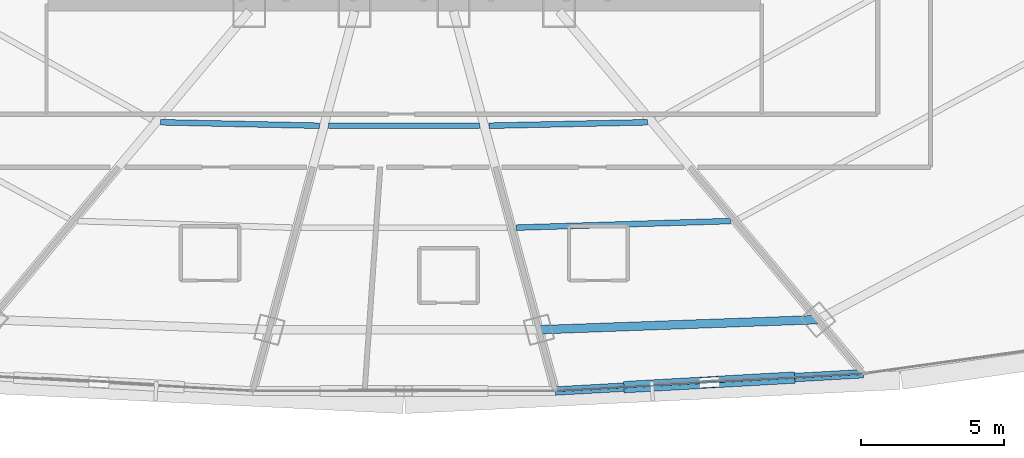
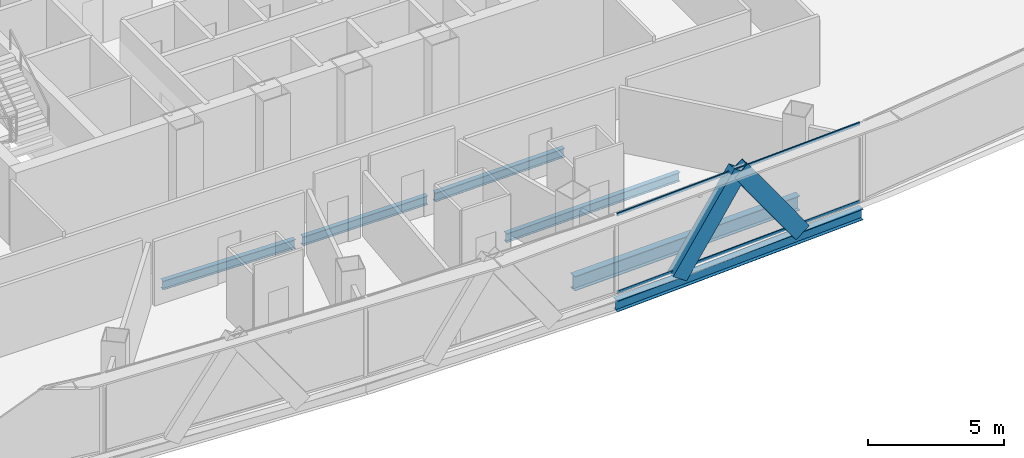
# One storey, part 13 of 40: 6 beams, 4 members, 1 element without a shape of its own.
"""IFC4 building model written with IfcOpenShell, lengths in metres."""

import ifcopenshell
import ifcopenshell.guid

model = None  # the IFC model being written
_history = None  # IfcOwnerHistory: only IFC2X3 demands one
_inside = {}  # id of a spatial element -> (the spatial element, [elements in it])
_under = {}  # id of a project, library or spatial element -> (it, [spatial elements below it])
_declared = {}  # id of a project -> (the project, [libraries it declares])
_typed = {}  # id of a type object -> (the type object, [elements of that type])
_made_of = {}  # id of a material, layer set ... -> (it, [elements and type objects made of it])


def new_model(schema):
    """Start an empty IFC model of exactly this schema.

    Asked for "IFC4X3", IfcOpenShell would pick the latest addendum, in which some entities
    have other attributes; the version numbers below select the first issue.
    IFC2X3 requires an IfcOwnerHistory on every rooted entity: one is made here for all.
    """
    global model, _history
    if schema == "IFC4X3":
        model = ifcopenshell.file(schema_version=(4, 3, 0, 0))
    else:
        model = ifcopenshell.file(schema=schema)
    _inside.clear()
    _under.clear()
    _declared.clear()
    _typed.clear()
    _made_of.clear()
    _history = None
    if model.schema == "IFC2X3":
        org = make("IfcOrganization", Name="unknown")
        user = make(
            "IfcPersonAndOrganization",
            ThePerson=make("IfcPerson", FamilyName="unknown"),
            TheOrganization=org,
        )
        app = make(
            "IfcApplication",
            ApplicationDeveloper=org,
            Version="unknown",
            ApplicationFullName="unknown",
            ApplicationIdentifier="unknown",
        )
        _history = make(
            "IfcOwnerHistory",
            OwningUser=user,
            OwningApplication=app,
            ChangeAction="ADDED",
            CreationDate=0,
        )
    return model


def make(cls, **values):
    """One entity of the class cls with the attributes given. An attribute that is None is left unset."""
    return model.create_entity(
        cls, **{name: value for name, value in values.items() if value is not None}
    )


def rooted(cls, **values):
    """An entity with a GlobalId (a new one), such as an element, a storey or a relation."""
    return make(cls, GlobalId=ifcopenshell.guid.new(), OwnerHistory=_history, **values)


def si_unit(unit_type, name, prefix=None):
    """IfcSIUnit, for example si_unit("LENGTHUNIT", "METRE", prefix="MILLI")."""
    return make("IfcSIUnit", UnitType=unit_type, Prefix=prefix, Name=name)


def assignment(units):
    """IfcUnitAssignment: the units of a project."""
    return None if units is None else make("IfcUnitAssignment", Units=units)


def point(xyz):
    """IfcCartesianPoint."""
    return None if xyz is None else make("IfcCartesianPoint", Coordinates=xyz)


def direction(xyz):
    """IfcDirection."""
    return None if xyz is None else make("IfcDirection", DirectionRatios=xyz)


def frame(location, z_axis=None, x_axis=None):
    """IfcAxis2Placement3D, a coordinate frame: its origin and axes. An axis left out is left unset."""
    return make(
        "IfcAxis2Placement3D",
        Location=point(location),
        Axis=direction(z_axis),
        RefDirection=direction(x_axis),
    )


def frame_2d(location, x_axis=None):
    """IfcAxis2Placement2D, a coordinate frame in the plane: its origin and x axis."""
    return make(
        "IfcAxis2Placement2D", Location=point(location), RefDirection=direction(x_axis)
    )


def origin():
    """The frame at (0, 0, 0) with its axes left unset."""
    return frame((0.0, 0.0, 0.0))


def origin_2d():
    """The frame at (0, 0) in the plane with its x axis left unset."""
    return frame_2d((0.0, 0.0))


def place(relative_to, where):
    """IfcLocalPlacement: puts the frame where relative to a parent placement (None: the world)."""
    return make(
        "IfcLocalPlacement", PlacementRelTo=relative_to, RelativePlacement=where
    )


def context(
    kind, dimensions, precision=None, world=None, true_north=None, identifier=None
):
    """IfcGeometricRepresentationContext, for example the 3D "Model" context."""
    return make(
        "IfcGeometricRepresentationContext",
        ContextIdentifier=identifier,
        ContextType=kind,
        CoordinateSpaceDimension=dimensions,
        Precision=precision,
        WorldCoordinateSystem=world,
        TrueNorth=true_north,
    )


def subcontext(parent, identifier, kind, view, scale=None):
    """IfcGeometricRepresentationSubContext, for example "Body" below "Model"."""
    return make(
        "IfcGeometricRepresentationSubContext",
        ContextIdentifier=identifier,
        ContextType=kind,
        ParentContext=parent,
        TargetScale=scale,
        TargetView=view,
    )


def project(units=None, contexts=None):
    """IfcProject with its units and contexts."""
    return rooted(
        "IfcProject",
        Name="project",
        RepresentationContexts=contexts,
        UnitsInContext=assignment(units),
    )


def spatial(cls, under=None, at=None, **own):
    """A site, building, storey or space (cls), placed at a placement, below another one or the project."""
    s = rooted(cls, ObjectPlacement=at, **own)
    if under is not None:
        _under.setdefault(under.id(), (under, []))[1].append(s)
    return s


def profile(cls, at=None, kind="AREA", **sizes):
    """A parametric profile (cls). Its sizes go by their IFC names, for example OverallWidth=200.0."""
    return make(cls, ProfileType=kind, Position=at, **sizes)


def hollow_rectangle(**sizes):
    """IfcRectangleHollowProfileDef."""
    return profile("IfcRectangleHollowProfileDef", **sizes)


def i_section(**sizes):
    """IfcIShapeProfileDef."""
    return profile("IfcIShapeProfileDef", **sizes)


def extrude(swept, where, along, depth):
    """IfcExtrudedAreaSolid: the profile swept, set in the frame where, extruded along a direction by depth."""
    return make(
        "IfcExtrudedAreaSolid",
        SweptArea=swept,
        Position=where,
        ExtrudedDirection=direction(along),
        Depth=depth,
    )


def shape(context_of_items, identifier, shape_type, items):
    """IfcShapeRepresentation: the items that make up one representation, for example the "Body"."""
    return make(
        "IfcShapeRepresentation",
        ContextOfItems=context_of_items,
        RepresentationIdentifier=identifier,
        RepresentationType=shape_type,
        Items=items,
    )


def source(mapping_origin, context_of_items, identifier, shape_type, items):
    """IfcRepresentationMap: a shape defined once, which mapped items show again and again."""
    return make(
        "IfcRepresentationMap",
        MappingOrigin=mapping_origin,
        MappedRepresentation=shape(context_of_items, identifier, shape_type, items),
    )


def transform(
    local_origin,
    x_axis=None,
    y_axis=None,
    z_axis=None,
    scale=None,
    scale2=None,
    scale3=None,
    uniform=True,
):
    """IfcCartesianTransformationOperator3D, or its non-uniform kind. x_axis, y_axis, z_axis: its Axis1, 2, 3."""
    if uniform:
        return make(
            "IfcCartesianTransformationOperator3D",
            Axis1=direction(x_axis),
            Axis2=direction(y_axis),
            LocalOrigin=point(local_origin),
            Scale=scale,
            Axis3=direction(z_axis),
        )
    return make(
        "IfcCartesianTransformationOperator3DnonUniform",
        Axis1=direction(x_axis),
        Axis2=direction(y_axis),
        LocalOrigin=point(local_origin),
        Scale=scale,
        Axis3=direction(z_axis),
        Scale2=scale2,
        Scale3=scale3,
    )


def mapped(mapping_source, mapping_target):
    """IfcMappedItem: shows the shape of a source again, moved by a transform."""
    return make(
        "IfcMappedItem", MappingSource=mapping_source, MappingTarget=mapping_target
    )


def material(Name=None, Category=None):
    """IfcMaterial."""
    return make("IfcMaterial", Name=Name, Category=Category)


def layer(
    of_material, thickness, ventilated=None, Name=None, Category=None, Priority=None
):
    """IfcMaterialLayer: one layer of a wall or slab, of a material (None: an air gap)."""
    return make(
        "IfcMaterialLayer",
        Material=of_material,
        LayerThickness=thickness,
        IsVentilated=ventilated,
        Name=Name,
        Category=Category,
        Priority=Priority,
    )


def layer_set(layers, Name=None):
    """IfcMaterialLayerSet."""
    return make("IfcMaterialLayerSet", MaterialLayers=layers, LayerSetName=Name)


def material_profile(
    of_material, cross_section, Name=None, Category=None, Priority=None
):
    """IfcMaterialProfile: a cross section and its material."""
    return make(
        "IfcMaterialProfile",
        Name=Name,
        Material=of_material,
        Profile=cross_section,
        Priority=Priority,
        Category=Category,
    )


def profile_set(profiles, Name=None, composite=None):
    """IfcMaterialProfileSet."""
    return make(
        "IfcMaterialProfileSet",
        Name=Name,
        MaterialProfiles=profiles,
        CompositeProfile=composite,
    )


def made_of(thing, what):
    """Note that an element or type object is made of a material, layer set ...; save() writes the relation."""
    if what is not None:
        _made_of.setdefault(what.id(), (what, []))[1].append(thing)
    return thing


def type_object(cls, material=None, **own):
    """A type object (cls), such as IfcWallType, which elements share."""
    return made_of(rooted(cls, **own), material)


def element(
    cls,
    number,
    at=None,
    inside=None,
    cuts=None,
    type_object=None,
    material=None,
    context=None,
    identifier="Body",
    shape_type=None,
    held_by="IfcProductDefinitionShape",
    body=None,
    shapes=None,
    **own,
):
    """One element of the class cls, such as IfcWall. Its Tag is "e" and its number.

    at: its placement. inside: the storey or other place that contains it. cuts: it is an
    opening in that element (IfcRelVoidsElement). A single representation is given by context,
    identifier, shape_type and body (its items); several are given by shapes. held_by: the class
    of the entity that holds the representations. save() writes the other relations.
    """
    e = rooted(cls, Tag="e%d" % number, ObjectPlacement=at, **own)
    if body is not None:
        shapes = [shape(context, identifier, shape_type, body)]
    if shapes is not None:
        e.Representation = make(held_by, Representations=shapes)
    if inside is not None:
        _inside.setdefault(inside.id(), (inside, []))[1].append(e)
    if cuts is not None:
        rooted(
            "IfcRelVoidsElement", RelatingBuildingElement=cuts, RelatedOpeningElement=e
        )
    if type_object is not None:
        _typed.setdefault(type_object.id(), (type_object, []))[1].append(e)
    return made_of(e, material)


def aggregate(whole, parts):
    """IfcRelAggregates: a whole, such as a stair, and the parts it consists of."""
    return rooted("IfcRelAggregates", RelatingObject=whole, RelatedObjects=parts)


def save(model, path):
    """Write the relations noted so far, then the file.

    IfcRelAggregates (storeys below a building ...), IfcRelContainedInSpatialStructure (elements
    in a storey), IfcRelDefinesByType, IfcRelAssociatesMaterial and IfcRelDeclares: one each for
    every whole, place, type object, material and project.
    """
    for whole, parts in _under.values():
        aggregate(whole, parts)
    for where, things in _inside.values():
        rooted(
            "IfcRelContainedInSpatialStructure",
            RelatedElements=things,
            RelatingStructure=where,
        )
    for kind, things in _typed.values():
        rooted("IfcRelDefinesByType", RelatedObjects=things, RelatingType=kind)
    for what, things in _made_of.values():
        rooted("IfcRelAssociatesMaterial", RelatedObjects=things, RelatingMaterial=what)
    for by, libraries in _declared.values():
        rooted("IfcRelDeclares", RelatingContext=by, RelatedDefinitions=libraries)
    model.write(path)


model = new_model("IFC4")

# Units and contexts
model_context = context("Model", 3, precision=1e-05, world=origin(), true_north=direction((0.0, 1.0)))
body_context = subcontext(model_context, "Body", "Model", "MODEL_VIEW")
ifc_project = project(units=[si_unit("LENGTHUNIT", "METRE"), si_unit("AREAUNIT", "SQUARE_METRE"), si_unit("VOLUMEUNIT", "CUBIC_METRE"), si_unit("PLANEANGLEUNIT", "RADIAN"), si_unit("MASSUNIT", "GRAM", prefix="KILO"), si_unit("THERMODYNAMICTEMPERATUREUNIT", "KELVIN"), si_unit("POWERUNIT", "WATT")], contexts=[model_context])

# Site, building, storey
site_placement = place(None, origin())
site = spatial("IfcSite", under=ifc_project, at=site_placement, CompositionType="ELEMENT")
building_placement = place(site_placement, origin())
building = spatial("IfcBuilding", under=site, at=building_placement, Name="Yunzhuo Pagoda Commons", CompositionType="ELEMENT")
storey_placement = place(building_placement, frame((0.0, 0.0, 180.9599609375)))
storey = spatial("IfcBuildingStorey", under=building, at=storey_placement, Name="L45", CompositionType="ELEMENT", Elevation=180.9599609375)

# Beams
ifc_material_1 = material(Name="Structural steel Q355B", Category="steel")
ifc_material_profile_1 = material_profile(ifc_material_1, i_section(OverallWidth=0.300048828125, OverallDepth=0.488037109375, WebThickness=0.010986328125, FlangeThickness=0.01806640625, at=origin_2d()), Name="Structural steel Q355B")
ifc_profile_set_1 = profile_set([ifc_material_profile_1], Name="Structural steel Q355B")
beam_type_1 = type_object("IfcBeamType", Name="B-SP1 Beam HM 488x300x11x18", PredefinedType="BEAM", material=ifc_profile_set_1)
shared_shape_1 = source(origin(), body_context, "Body", "SweptSolid", [
    extrude(i_section(OverallWidth=0.300048828125, OverallDepth=0.488037109375, WebThickness=0.010986328125, FlangeThickness=0.01806640625, at=origin_2d()), origin(), (0.0, 0.0, 1.0), 10.77783203125),
])
beam_1_placement = place(storey_placement, frame((53.28662109375, 13.970458984375, -0.50390625), z_axis=(0.998422062391, 0.056155011631, 0.0), x_axis=(-0.056155011631, 0.998422062391, 0.0)))
element("IfcBeam", 1, at=beam_1_placement, inside=storey, type_object=beam_type_1, Name="L45 facade edge spandrel beam F1.3", PredefinedType="BEAM", context=body_context, shape_type="MappedRepresentation", body=[
    mapped(shared_shape_1, transform((0.0, 0.0, 0.0), scale=1.0)),
])
ifc_material_profile_2 = material_profile(ifc_material_1, i_section(OverallWidth=0.300048828125, OverallDepth=0.64990234375, WebThickness=0.012939453125, FlangeThickness=0.02197265625, at=origin_2d()), Name="Structural steel Q355B")
ifc_profile_set_2 = profile_set([ifc_material_profile_2], Name="Structural steel Q355B")
beam_type_2 = type_object("IfcBeamType", Name="B-RG2 Beam HN 650x300x13x22", PredefinedType="BEAM", material=ifc_profile_set_2)
shared_shape_2 = source(origin(), body_context, "Body", "SweptSolid", [
    extrude(i_section(OverallWidth=0.300048828125, OverallDepth=0.64990234375, WebThickness=0.012939453125, FlangeThickness=0.02197265625, at=origin_2d()), origin(), (0.0, 0.0, 1.0), 9.754638671875),
])
beam_2_placement = place(storey_placement, frame((52.712890625, 16.1123046875, -0.5849609375), z_axis=(0.999343095614, 0.036240547032, 0.0), x_axis=(-0.036240547032, 0.999343095614, 0.0)))
element("IfcBeam", 2, at=beam_2_placement, inside=storey, type_object=beam_type_2, Name="L45 column-ring beam 3", PredefinedType="BEAM", context=body_context, shape_type="MappedRepresentation", body=[
    mapped(shared_shape_2, transform((0.0, 0.0, 0.0), scale=1.0)),
])
ifc_material_profile_3 = material_profile(ifc_material_1, i_section(OverallWidth=0.199951171875, OverallDepth=0.39990234375, WebThickness=0.008056640625, FlangeThickness=0.012939453125, at=origin_2d()), Name="Structural steel Q355B")
ifc_profile_set_3 = profile_set([ifc_material_profile_3], Name="Structural steel Q355B")
beam_type_3 = type_object("IfcBeamType", Name="B-JS1 Joist HN 400x200x8x13", PredefinedType="JOIST", material=ifc_profile_set_3)
shared_shape_3 = source(origin(), body_context, "Body", "SweptSolid", [
    extrude(i_section(OverallWidth=0.199951171875, OverallDepth=0.39990234375, WebThickness=0.008056640625, FlangeThickness=0.012939453125, at=origin_2d()), origin(), (0.0, 0.0, 1.0), 5.550537109375),
])
for number, where, z_axis, x_axis, name in (
    (3, (39.489013671875, 23.3642578125, -0.4599609375), (0.99976582056, -0.021640333643, 0.0), (0.021640333643, 0.99976582056, 0.0), "L45 composite ring joist 1.1"),
    (4, (50.961669921875, 23.244140625, -0.4599609375), (0.99976582056, 0.021640333643, 0.0), (-0.021640333643, 0.99976582056, 0.0), "L45 composite ring joist 1.3"),
):
    element("IfcBeam", number, at=place(storey_placement, frame(where, z_axis=z_axis, x_axis=x_axis)), inside=storey, type_object=beam_type_3, Name=name, PredefinedType="JOIST", context=body_context, shape_type="MappedRepresentation", body=[
        mapped(shared_shape_3, transform((0.0, 0.0, 0.0), scale=1.0)),
    ])
shared_shape_4 = source(origin(), body_context, "Body", "SweptSolid", [
    extrude(i_section(OverallWidth=0.199951171875, OverallDepth=0.39990234375, WebThickness=0.008056640625, FlangeThickness=0.012939453125, at=origin_2d()), origin(), (0.0, 0.0, 1.0), 7.49365234375),
])
beam_3_placement = place(storey_placement, frame((51.91650390625, 19.68115234375, -0.4599609375), z_axis=(0.99952593018, 0.030788226605, 0.0), x_axis=(-0.030788226605, 0.99952593018, 0.0)))
element("IfcBeam", 5, at=beam_3_placement, inside=storey, type_object=beam_type_3, Name="L45 composite ring joist 2.3", PredefinedType="JOIST", context=body_context, shape_type="MappedRepresentation", body=[
    mapped(shared_shape_4, transform((0.0, 0.0, 0.0), scale=1.0)),
])
shared_shape_5 = source(origin(), body_context, "Body", "SweptSolid", [
    extrude(i_section(OverallWidth=0.199951171875, OverallDepth=0.39990234375, WebThickness=0.008056640625, FlangeThickness=0.012939453125, at=origin_2d()), origin(), (0.0, 0.0, 1.0), 5.287109375),
])
beam_4_placement = place(storey_placement, frame((45.3564453125, 23.24072265625, -0.4599609375), z_axis=(1.0, 0.0, 0.0), x_axis=(0.0, 1.0, 0.0)))
element("IfcBeam", 6, at=beam_4_placement, inside=storey, type_object=beam_type_3, Name="L45 composite ring joist 1.2", PredefinedType="JOIST", context=body_context, shape_type="MappedRepresentation", body=[
    mapped(shared_shape_5, transform((0.0, 0.0, 0.0), scale=1.0)),
])

# Members
ifc_material_profile_4 = material_profile(ifc_material_1, hollow_rectangle(XDim=0.39990234375, YDim=0.719970703125, WallThickness=0.02392578125, at=origin_2d()), Name="Structural steel Q355B")
ifc_profile_set_4 = profile_set([ifc_material_profile_4], Name="Structural steel Q355B")
member_type_1 = type_object("IfcMemberType", Name="M-DL2 Brace BOX 720x400x24", PredefinedType="BRACE", material=ifc_profile_set_4)
shared_shape_6 = source(origin(), body_context, "Body", "SweptSolid", [
    extrude(hollow_rectangle(XDim=0.39990234375, YDim=0.719970703125, WallThickness=0.02392578125, at=origin_2d()), origin(), (0.0, 0.0, 1.0), 4.658447265625),
])
for number, where, z_axis, x_axis, name in (
    (7, (55.976806640625, 14.12158203125, -0.260009765625), (0.577495429788, 0.032493617068, 0.815747015578), (-0.056177592441, 0.998420792105, 0.0), "L45 facade diamond brace F1.3L"),
    (8, (61.357177734375, 14.42431640625, -0.260009765625), (-0.577495429788, -0.032493617068, 0.815747015578), (0.056177592441, -0.998420792105, 0.0), "L45 facade diamond brace F1.3R"),
):
    element("IfcMember", number, at=place(storey_placement, frame(where, z_axis=z_axis, x_axis=x_axis)), inside=storey, type_object=member_type_1, Name=name, PredefinedType="BRACE", context=body_context, shape_type="MappedRepresentation", body=[
        mapped(shared_shape_6, transform((0.0, 0.0, 0.0), scale=1.0)),
    ])

# Curtain wall, members
ifc_material_2 = material(Name="Anodized aluminium 6063-T6", Category="aluminium")
ifc_layer = layer(ifc_material_2, 0.14990234375)
ifc_layer_set = layer_set([ifc_layer], Name="Anodized aluminium 6063-T6")
curtain_wall_type = type_object("IfcCurtainWallType", Name="CW-MID Mid-Zone Ribbon Curtain Wall", PredefinedType="NOTDEFINED", material=ifc_layer_set)
curtain_wall_placement = place(storey_placement, origin())
curtain_wall = element("IfcCurtainWall", 9, at=curtain_wall_placement, inside=storey, type_object=curtain_wall_type, Name="L45 curtain wall CW-L45-F1B4", PredefinedType="NOTDEFINED")
ifc_material_profile_5 = material_profile(ifc_material_2, hollow_rectangle(XDim=0.054931640625, YDim=0.1298828125, WallThickness=0.00341796875, at=origin_2d()), Name="Anodized aluminium 6063-T6")
ifc_profile_set_5 = profile_set([ifc_material_profile_5], Name="Anodized aluminium 6063-T6")
member_type_2 = type_object("IfcMemberType", Name="CW-MID-T Transom RHS 130x55x3.5", PredefinedType="USERDEFINED", material=ifc_profile_set_5)
shared_shape_7 = source(origin(), body_context, "Body", "SweptSolid", [
    extrude(hollow_rectangle(XDim=0.054931640625, YDim=0.1298828125, WallThickness=0.00341796875, at=origin_2d()), origin(), (0.0, 0.0, 1.0), 10.65771484375),
])
member_1_placement = place(storey_placement, frame((53.3466796875, 13.973876953125, 0.027587890625), z_axis=(0.998422555941, 0.056146235737, 0.0), x_axis=(-0.056146235737, 0.998422555941, 0.0)))
member_1 = element("IfcMember", 10, at=member_1_placement, type_object=member_type_2, Name="CW transom 1.1", ObjectType="TRANSOM", PredefinedType="USERDEFINED", context=body_context, shape_type="MappedRepresentation", body=[
    mapped(shared_shape_7, transform((0.0, 0.0, 0.0), scale=1.0)),
])
member_2_placement = place(storey_placement, frame((53.3466796875, 13.973876953125, 3.512451171875), z_axis=(0.998422555941, 0.056146235737, 0.0), x_axis=(-0.056146235737, 0.998422555941, 0.0)))
member_2 = element("IfcMember", 11, at=member_2_placement, type_object=member_type_2, Name="CW transom 1.2", ObjectType="TRANSOM", PredefinedType="USERDEFINED", context=body_context, shape_type="MappedRepresentation", body=[
    mapped(shared_shape_7, transform((0.0, 0.0, 0.0), scale=1.0)),
])
aggregate(curtain_wall, [member_1, member_2])

save(model, "model.ifc")
